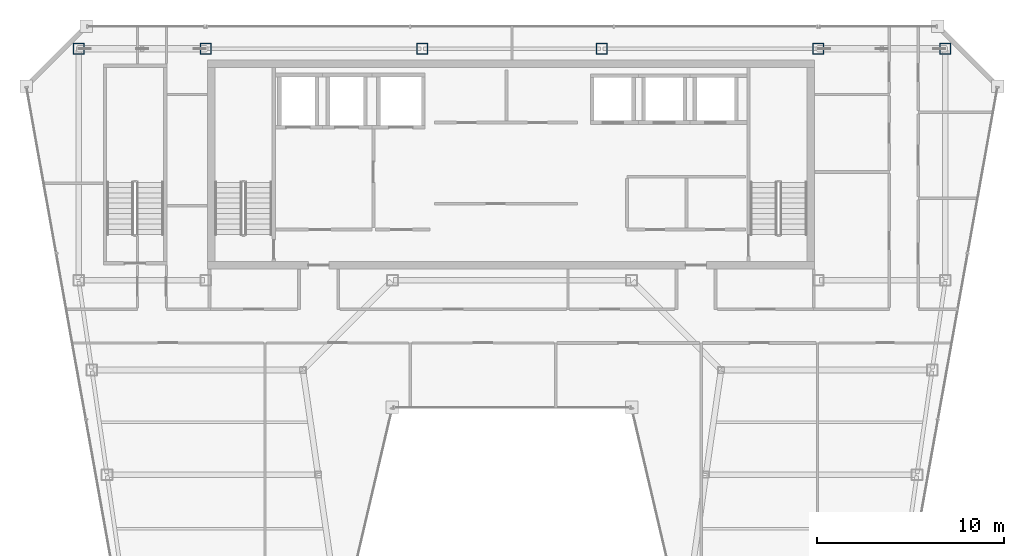
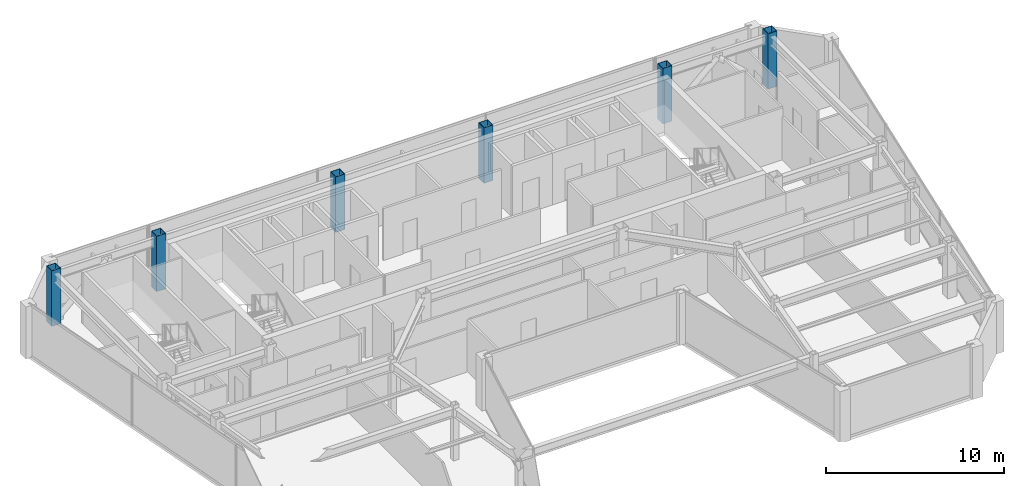
# One storey, part 2 of 32: 6 columns.
"""IFC4 building model written with IfcOpenShell, lengths in metres."""

from ifc_helpers import new_model, si_unit, direction, frame, origin, origin_2d, place, context, subcontext, project, spatial, hollow_rectangle, extrude, material, material_profile, profile_set, type_object, element, save


model = new_model("IFC4")

# Units and contexts
model_context = context("Model", 3, precision=1e-05, world=origin(), true_north=direction((0.0, 1.0)))
body_context = subcontext(model_context, "Body", "Model", "MODEL_VIEW")
ifc_project = project(units=[si_unit("LENGTHUNIT", "METRE"), si_unit("AREAUNIT", "SQUARE_METRE"), si_unit("VOLUMEUNIT", "CUBIC_METRE"), si_unit("PLANEANGLEUNIT", "RADIAN"), si_unit("MASSUNIT", "GRAM", prefix="KILO")], contexts=[model_context])

# Site, building, storey
site_placement = place(None, origin())
site = spatial("IfcSite", under=ifc_project, at=site_placement, CompositionType="ELEMENT")
building_placement = place(site_placement, origin())
building = spatial("IfcBuilding", under=site, at=building_placement, Name="Saevonmaru Cultural Tower", CompositionType="ELEMENT")
storey_placement = place(building_placement, frame((0.0, 0.0, 261.0)))
storey = spatial("IfcBuildingStorey", under=building, at=storey_placement, Name="L61", CompositionType="ELEMENT", Elevation=261.0)

# Columns
ifc_material = material(Name="Steel SM355", Category="steel")
ifc_material_profile = material_profile(ifc_material, hollow_rectangle(XDim=0.60009765625, YDim=0.60009765625, WallThickness=0.028076171875, at=origin_2d()), Name="BOX-600x600x28")
ifc_profile_set = profile_set([ifc_material_profile], Name="Steel SM355")
column_type = type_object("IfcColumnType", Name="COL-BOX-600", PredefinedType="COLUMN", material=ifc_profile_set)
for number, where, z_axis, x_axis, name in (
    (1, (6.800048828125, 54.800048828125, 0.0), (0.0, 0.0, 1.0), (1.0, 0.0, 0.0), "L61 Column TC-N1N"),
    (2, (13.60009765625, 54.800048828125, 0.0), (0.0, 0.0, 1.0), (1.0, 0.0, 0.0), "L61 Column TC-N2N"),
    (3, (25.199951171875, 54.800048828125, 0.0), (0.0, 0.0, 1.0), (1.0, 0.0, 0.0), "L61 Column TC-N3N"),
    (4, (34.800048828125, 54.800048828125, 0.0), (0.0, 0.0, 1.0), (1.0, 0.0, 0.0), "L61 Column TC-N4N"),
    (5, (46.39990234375, 54.800048828125, 0.0), (0.0, 0.0, 1.0), (1.0, 0.0, 0.0), "L61 Column TC-N5N"),
    (6, (53.199951171875, 54.800048828125, 0.0), (0.0, 0.0, 1.0), (1.0, 0.0, 0.0), "L61 Column TC-N6N"),
):
    element("IfcColumn", number, at=place(storey_placement, frame(where, z_axis=z_axis, x_axis=x_axis)), inside=storey, type_object=column_type, Name=name, PredefinedType="COLUMN", context=body_context, shape_type="SweptSolid", body=[
        extrude(hollow_rectangle(XDim=0.60009765625, YDim=0.60009765625, WallThickness=0.028076171875, at=origin_2d()), origin(), (0.0, 0.0, 1.0), 3.800048828125),
    ])

save(model, "model.ifc")
